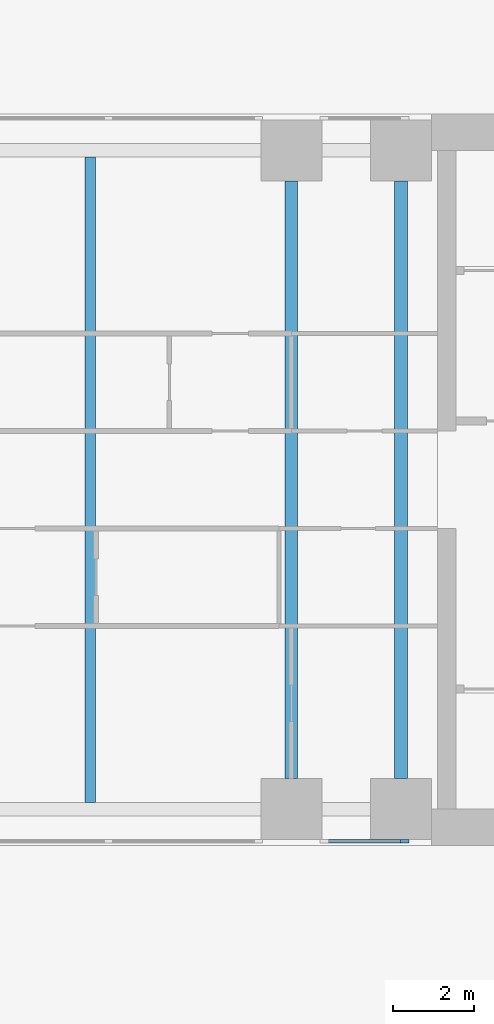
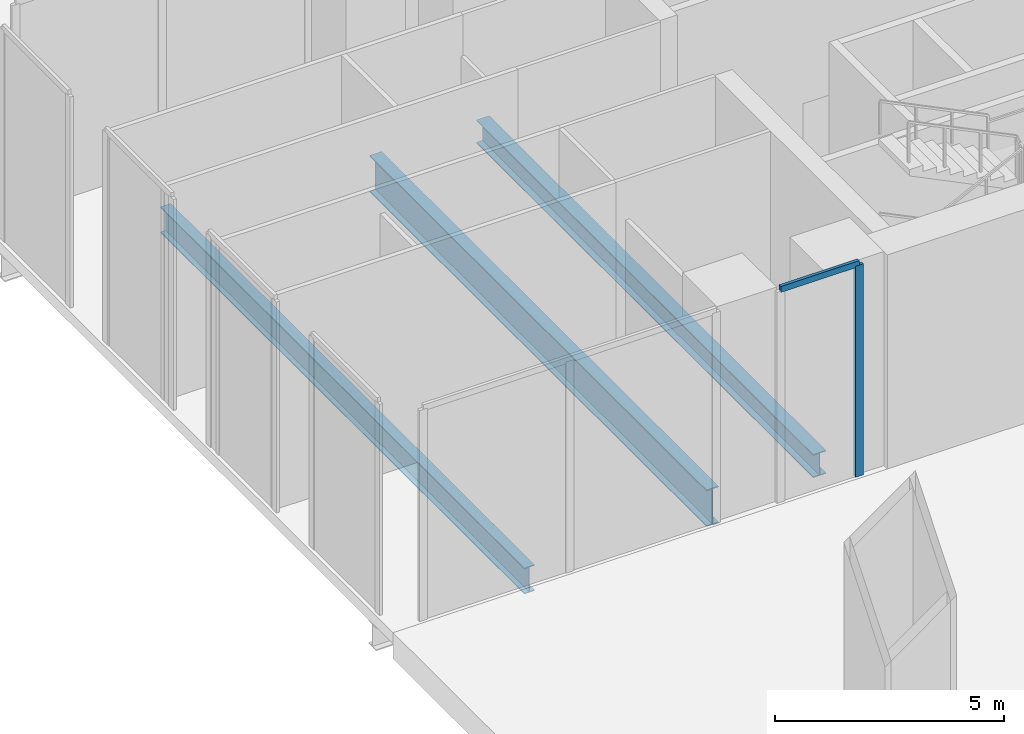
# One storey, part 3 of 13: 3 beams, 2 members, 1 element without a shape of its own.
"""IFC4 building model written with IfcOpenShell, lengths in metres."""

from ifc_helpers import new_model, si_unit, direction, frame, origin, origin_2d, place, context, subcontext, project, spatial, rectangle, i_section, extrude, material, material_profile, profile_set, type_object, element, aggregate, save


model = new_model("IFC4")

# Units and contexts
model_context = context("Model", 3, precision=1e-05, world=origin(), true_north=direction((0.0, 1.0)))
body_context = subcontext(model_context, "Body", "Model", "MODEL_VIEW")
ifc_project = project(units=[si_unit("LENGTHUNIT", "METRE"), si_unit("AREAUNIT", "SQUARE_METRE"), si_unit("VOLUMEUNIT", "CUBIC_METRE"), si_unit("PLANEANGLEUNIT", "RADIAN"), si_unit("MASSUNIT", "GRAM", prefix="KILO")], contexts=[model_context])

# Site, building, storey
site_placement = place(None, origin())
site = spatial("IfcSite", under=ifc_project, at=site_placement, CompositionType="ELEMENT")
building_placement = place(site_placement, origin())
building = spatial("IfcBuilding", under=site, at=building_placement, Name="Perihelion Cross Residences", CompositionType="ELEMENT")
storey_placement = place(building_placement, frame((0.0, 0.0, 15.0)))
storey = spatial("IfcBuildingStorey", under=building, at=storey_placement, Name="L01", CompositionType="ELEMENT", Elevation=15.0)

# Curtain wall, members
ifc_material_1 = material(Name="Bronze anodised aluminium, tinted glazing", Category="aluminium")
curtain_wall_type = type_object("IfcCurtainWallType", Name="CW2", PredefinedType="NOTDEFINED", material=ifc_material_1)
curtain_wall_placement = place(storey_placement, origin())
curtain_wall = element("IfcCurtainWall", 1, at=curtain_wall_placement, inside=storey, type_object=curtain_wall_type, Name="Curtain wall CW2 L01 east side south bay 2", PredefinedType="NOTDEFINED")
ifc_material_2 = material(Name="Bronze anodised aluminium", Category="aluminium")
ifc_material_profile_1 = material_profile(ifc_material_2, rectangle(XDim=0.080078125, YDim=0.199951171875, at=origin_2d()), Name="CW2 mullion")
ifc_profile_set_1 = profile_set([ifc_material_profile_1], Name="Bronze anodised aluminium")
member_type_1 = type_object("IfcMemberType", Name="CW2 mullion", PredefinedType="MULLION", material=ifc_profile_set_1)
member_1_placement = place(storey_placement, frame((20.7900390625, -8.889892578125, 0.0), z_axis=(0.0, 0.0, 1.0), x_axis=(0.0, 1.0, 0.0)))
member_1 = element("IfcMember", 2, at=member_1_placement, type_object=member_type_1, Name="CW2 mullion 2", PredefinedType="MULLION", context=body_context, shape_type="SweptSolid", body=[
    extrude(rectangle(XDim=0.080078125, YDim=0.199951171875, at=origin_2d()), origin(), (0.0, 0.0, 1.0), 5.6201171875),
])
ifc_material_3 = material(Name="Bronze anodised aluminium", Category="aluminium")
ifc_material_profile_2 = material_profile(ifc_material_3, rectangle(XDim=0.080078125, YDim=0.159912109375, at=origin_2d()), Name="CW2 transom")
ifc_profile_set_2 = profile_set([ifc_material_profile_2], Name="Bronze anodised aluminium")
member_type_2 = type_object("IfcMemberType", Name="CW2 transom", PredefinedType="USERDEFINED", material=ifc_profile_set_2)
member_2_placement = place(storey_placement, frame((18.81005859375, -8.889892578125, 5.659912109375), z_axis=(1.0, 0.0, 0.0), x_axis=(0.0, 1.0, 0.0)))
member_2 = element("IfcMember", 3, at=member_2_placement, type_object=member_type_2, Name="CW2 head transom", ObjectType="TRANSOM", PredefinedType="USERDEFINED", context=body_context, shape_type="SweptSolid", body=[
    extrude(rectangle(XDim=0.080078125, YDim=0.159912109375, at=origin_2d()), origin(), (0.0, 0.0, 1.0), 1.97998046875),
])
aggregate(curtain_wall, [member_1, member_2])

# Beams
ifc_material_4 = material(Name="Steel S355", Category="steel")
ifc_material_profile_3 = material_profile(ifc_material_4, i_section(OverallWidth=0.324951171875, OverallDepth=0.616943359375, WebThickness=0.013916015625, FlangeThickness=0.021484375, at=origin_2d()), Name="W610x174")
ifc_profile_set_3 = profile_set([ifc_material_profile_3], Name="Steel S355")
beam_type_1 = type_object("IfcBeamType", Name="Core edge beam W610x174", PredefinedType="BEAM", material=ifc_profile_set_3)
beam_1_placement = place(storey_placement, frame((20.699951171875, -7.35009765625, -0.6083984375), z_axis=(0.0, 1.0, 0.0), x_axis=(-1.0, 0.0, 0.0)))
element("IfcBeam", 4, at=beam_1_placement, inside=storey, type_object=beam_type_1, Name="Core edge beam TB1 L01 no. 2", PredefinedType="BEAM", context=body_context, shape_type="SweptSolid", body=[
    extrude(i_section(OverallWidth=0.324951171875, OverallDepth=0.616943359375, WebThickness=0.013916015625, FlangeThickness=0.021484375, at=origin_2d()), origin(), (0.0, 0.0, 1.0), 14.7001953125),
])
ifc_material_5 = material(Name="Steel S355", Category="steel")
ifc_material_profile_4 = material_profile(ifc_material_5, i_section(OverallWidth=0.300048828125, OverallDepth=0.97998046875, WebThickness=0.0166015625, FlangeThickness=0.026123046875, at=origin_2d()), Name="W1000x249")
ifc_profile_set_4 = profile_set([ifc_material_profile_4], Name="Steel S355")
beam_type_2 = type_object("IfcBeamType", Name="Floor girder W1000x249", PredefinedType="BEAM", material=ifc_profile_set_4)
beam_2_placement = place(storey_placement, frame((18.0, -7.35009765625, -0.7900390625), z_axis=(0.0, 1.0, 0.0), x_axis=(-1.0, 0.0, 0.0)))
element("IfcBeam", 5, at=beam_2_placement, inside=storey, type_object=beam_type_2, Name="Girder G1 L01 no. 2", PredefinedType="BEAM", context=body_context, shape_type="SweptSolid", body=[
    extrude(i_section(OverallWidth=0.300048828125, OverallDepth=0.97998046875, WebThickness=0.0166015625, FlangeThickness=0.026123046875, at=origin_2d()), origin(), (0.0, 0.0, 1.0), 14.7001953125),
])
ifc_material_6 = material(Name="Steel S355", Category="steel")
ifc_material_profile_5 = material_profile(ifc_material_6, i_section(OverallWidth=0.257080078125, OverallDepth=0.693115234375, WebThickness=0.014404296875, FlangeThickness=0.023681640625, at=origin_2d()), Name="W690x170")
ifc_profile_set_5 = profile_set([ifc_material_profile_5], Name="Steel S355")
beam_type_3 = type_object("IfcBeamType", Name="Floor joist W690x170", PredefinedType="JOIST", material=ifc_profile_set_5)
beam_3_placement = place(storey_placement, frame((13.050048828125, -7.93505859375, -0.646484375), z_axis=(0.0, 1.0, 0.0), x_axis=(-1.0, 0.0, 0.0)))
element("IfcBeam", 6, at=beam_3_placement, inside=storey, type_object=beam_type_3, Name="Joist J1 L01 no. 2", PredefinedType="JOIST", context=body_context, shape_type="SweptSolid", body=[
    extrude(i_section(OverallWidth=0.257080078125, OverallDepth=0.693115234375, WebThickness=0.014404296875, FlangeThickness=0.023681640625, at=origin_2d()), origin(), (0.0, 0.0, 1.0), 15.8701171875),
])

save(model, "model.ifc")
